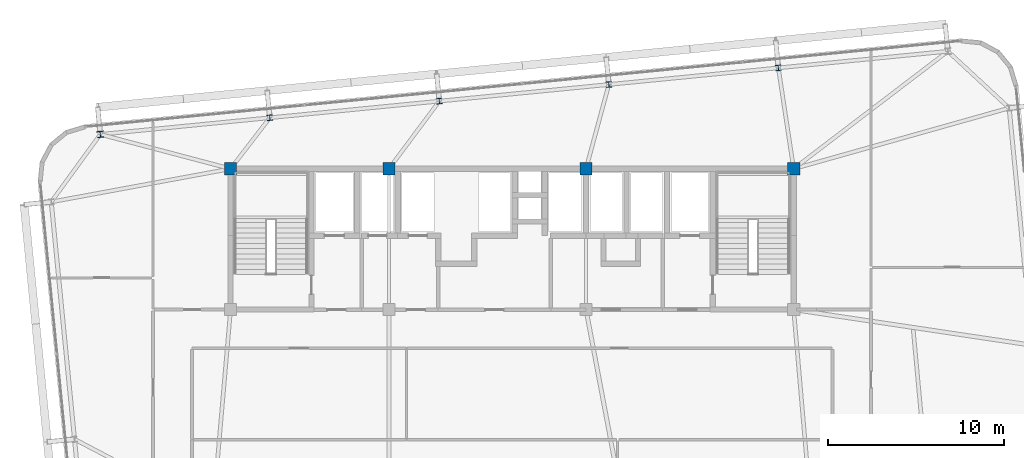
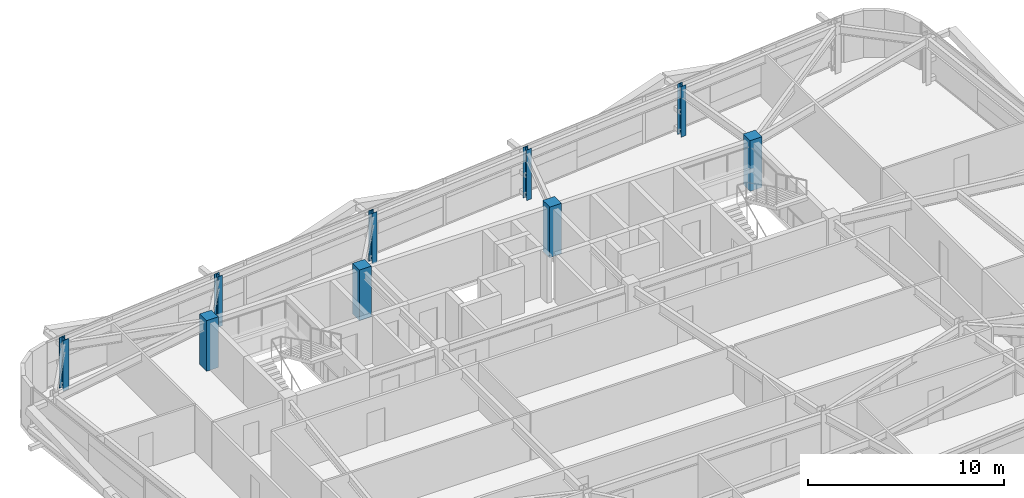
# One storey, part 3 of 47: 9 columns.
"""IFC4 building model written with IfcOpenShell, lengths in metres."""

from ifc_helpers import new_model, si_unit, direction, frame, origin, origin_2d, place, context, subcontext, project, spatial, rectangle, i_section, extrude, source, transform, mapped, material, material_profile, profile_set, type_object, element, save


model = new_model("IFC4")

# Units and contexts
model_context = context("Model", 3, precision=1e-05, world=origin(), true_north=direction((0.0, 1.0)))
body_context = subcontext(model_context, "Body", "Model", "MODEL_VIEW")
ifc_project = project(units=[si_unit("LENGTHUNIT", "METRE"), si_unit("AREAUNIT", "SQUARE_METRE"), si_unit("VOLUMEUNIT", "CUBIC_METRE"), si_unit("PLANEANGLEUNIT", "RADIAN"), si_unit("MASSUNIT", "GRAM", prefix="KILO")], contexts=[model_context])

# Site, building, storey
site_placement = place(None, origin())
site = spatial("IfcSite", under=ifc_project, at=site_placement, CompositionType="ELEMENT")
building_placement = place(site_placement, origin())
building = spatial("IfcBuilding", under=site, at=building_placement, Name="Taldren Reach Tower", CompositionType="ELEMENT")
storey_placement = place(building_placement, frame((0.0, 0.0, 90.300048828125)))
storey = spatial("IfcBuildingStorey", under=building, at=storey_placement, Name="L27", CompositionType="ELEMENT", Elevation=90.300048828125)

# Columns
ifc_material_1 = material(Name="Concrete S65 (65 MPa)", Category="concrete")
ifc_material_profile_1 = material_profile(ifc_material_1, rectangle(XDim=0.699951171875, YDim=0.699951171875, at=origin_2d()), Name="RC-700x700")
ifc_profile_set_1 = profile_set([ifc_material_profile_1], Name="Concrete S65 (65 MPa)")
column_type_1 = type_object("IfcColumnType", Name="COL-RC700", PredefinedType="COLUMN", material=ifc_profile_set_1)
shared_shape_1 = source(origin(), body_context, "Body", "SweptSolid", [
    extrude(rectangle(XDim=0.699951171875, YDim=0.699951171875, at=origin_2d()), origin(), (0.0, 0.0, 1.0), 3.14990234375),
])
for number, where, z_axis, x_axis, name in (
    (1, (19.0, 32.0, 0.0), (0.0, 0.0, 1.0), (1.0, 0.0, 0.0), "Mega column MC-C5 L27"),
    (2, (28.0, 32.0, 0.0), (0.0, 0.0, 1.0), (1.0, 0.0, 0.0), "Mega column MC-C6 L27"),
    (3, (39.199951171875, 32.0, 0.0), (0.0, 0.0, 1.0), (1.0, 0.0, 0.0), "Mega column MC-C7 L27"),
    (4, (51.0, 32.0, 0.0), (0.0, 0.0, 1.0), (1.0, 0.0, 0.0), "Mega column MC-C8 L27"),
):
    element("IfcColumn", number, at=place(storey_placement, frame(where, z_axis=z_axis, x_axis=x_axis)), inside=storey, type_object=column_type_1, Name=name, PredefinedType="COLUMN", context=body_context, shape_type="MappedRepresentation", body=[
        mapped(shared_shape_1, transform((0.0, 0.0, 0.0), scale=1.0)),
    ])
ifc_material_2 = material(Name="Steel Gr 350 (350PLUS)", Category="steel")
ifc_material_profile_2 = material_profile(ifc_material_2, i_section(OverallWidth=0.35009765625, OverallDepth=0.35595703125, WebThickness=0.01806640625, FlangeThickness=0.028076171875, at=origin_2d()), Name="350WC197")
ifc_profile_set_2 = profile_set([ifc_material_profile_2], Name="Steel Gr 350 (350PLUS)")
column_type_2 = type_object("IfcColumnType", Name="COL-WC350", PredefinedType="COLUMN", material=ifc_profile_set_2)
shared_shape_2 = source(origin(), body_context, "Body", "SweptSolid", [
    extrude(i_section(OverallWidth=0.35009765625, OverallDepth=0.35595703125, WebThickness=0.01806640625, FlangeThickness=0.028076171875, at=origin_2d()), origin(), (0.0, 0.0, 1.0), 3.14990234375),
])
column_placement = place(storey_placement, frame((11.596923828125, 33.956787109375, 0.0), z_axis=(0.0, 0.0, 1.0), x_axis=(0.995227399982, 0.097582899759, 0.0)))
element("IfcColumn", 5, at=column_placement, inside=storey, type_object=column_type_2, Name="Block B2 perimeter column N1 L27", PredefinedType="COLUMN", context=body_context, shape_type="MappedRepresentation", body=[
    mapped(shared_shape_2, transform((0.0, 0.0, 0.0), scale=1.0)),
])
ifc_material_profile_3 = material_profile(ifc_material_2, i_section(OverallWidth=0.306884765625, OverallDepth=0.31494140625, WebThickness=0.011962890625, FlangeThickness=0.018798828125, at=origin_2d()), Name="310UC118")
ifc_profile_set_3 = profile_set([ifc_material_profile_3], Name="Steel Gr 350 (350PLUS)")
column_type_3 = type_object("IfcColumnType", Name="COL-UC310B", PredefinedType="COLUMN", material=ifc_profile_set_3)
shared_shape_3 = source(origin(), body_context, "Body", "SweptSolid", [
    extrude(i_section(OverallWidth=0.306884765625, OverallDepth=0.31494140625, WebThickness=0.011962890625, FlangeThickness=0.018798828125, at=origin_2d()), origin(), (0.0, 0.0, 1.0), 3.14990234375),
])
for number, where, z_axis, x_axis, name in (
    (6, (21.230712890625, 34.9013671875, 0.0), (0.0, 0.0, 1.0), (0.995227399982, 0.097582899759, 0.0), "Block B2 perimeter column N2 L27"),
    (7, (30.864501953125, 35.84619140625, 0.0), (0.0, 0.0, 1.0), (0.995227399982, 0.097582899759, 0.0), "Block B2 perimeter column N3 L27"),
    (8, (40.498291015625, 36.790771484375, 0.0), (0.0, 0.0, 1.0), (0.995227399982, 0.097582899759, 0.0), "Block B2 perimeter column N4 L27"),
    (9, (50.132080078125, 37.7353515625, 0.0), (0.0, 0.0, 1.0), (0.995227399982, 0.097582899759, 0.0), "Block B2 perimeter column N5 L27"),
):
    element("IfcColumn", number, at=place(storey_placement, frame(where, z_axis=z_axis, x_axis=x_axis)), inside=storey, type_object=column_type_3, Name=name, PredefinedType="COLUMN", context=body_context, shape_type="MappedRepresentation", body=[
        mapped(shared_shape_3, transform((0.0, 0.0, 0.0), scale=1.0)),
    ])

save(model, "model.ifc")
